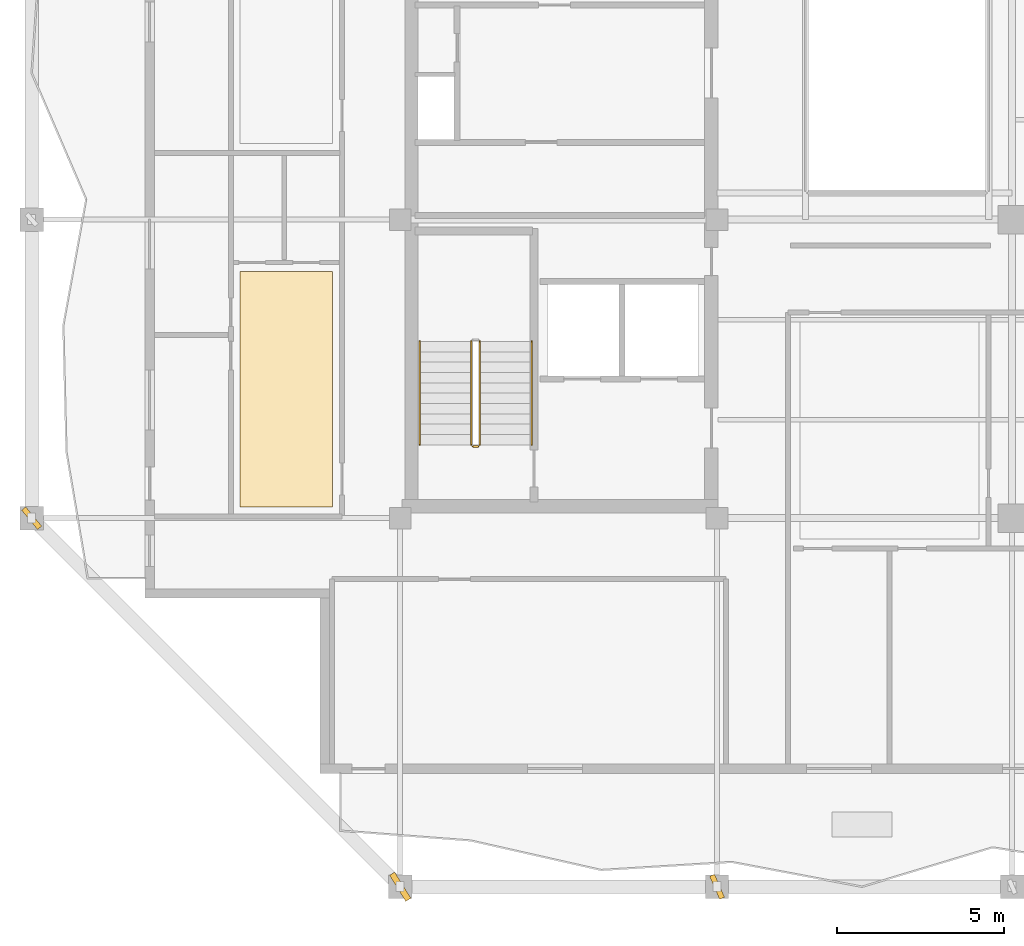
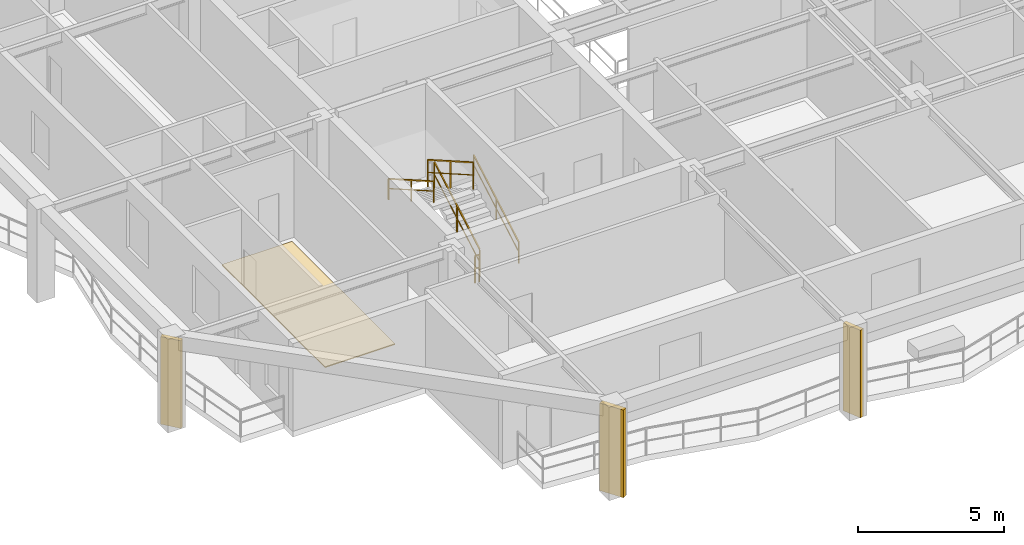
# One storey, part 7 of 12: 5 railings, 3 shading devices, 1 covering.
"""IFC4 building model written with IfcOpenShell, lengths in metres."""

from ifc_helpers import new_model, si_unit, direction, frame, origin, origin_2d, place, context, subcontext, project, spatial, polyline, rectangle, outline, extrude, material, layer, layer_set, type_object, element, save


model = new_model("IFC4")

# Units and contexts
model_context = context("Model", 3, precision=1e-05, world=origin(), true_north=direction((0.0, 1.0)))
body_context = subcontext(model_context, "Body", "Model", "MODEL_VIEW")
ifc_project = project(units=[si_unit("LENGTHUNIT", "METRE"), si_unit("AREAUNIT", "SQUARE_METRE"), si_unit("VOLUMEUNIT", "CUBIC_METRE"), si_unit("PLANEANGLEUNIT", "RADIAN"), si_unit("MASSUNIT", "GRAM", prefix="KILO")], contexts=[model_context])

# Site, building, storey
site_placement = place(None, origin())
site = spatial("IfcSite", under=ifc_project, at=site_placement, CompositionType="ELEMENT")
building_placement = place(site_placement, origin())
building = spatial("IfcBuilding", under=site, at=building_placement, Name="Kundavana Baori Tower", CompositionType="ELEMENT")
storey_placement = place(building_placement, frame((0.0, 0.0, 245.300048828125)))
storey = spatial("IfcBuildingStorey", under=building, at=storey_placement, Name="L60", CompositionType="ELEMENT", Elevation=245.300048828125)

# Covering
ifc_material_1 = material(Name="Honed Kota Stone and Terrazzo Flooring", Category="masonry")
ifc_layer = layer(ifc_material_1, 0.0400390625, Name="COV-FLR-TERR-40")
ifc_layer_set = layer_set([ifc_layer], Name="Honed Kota Stone and Terrazzo Flooring")
covering_type = type_object("IfcCoveringType", Name="COV-FLR-TERR-40", PredefinedType="FLOORING", material=ifc_layer_set)
covering_placement = place(storey_placement, origin())
element("IfcCovering", 1, at=covering_placement, inside=storey, type_object=covering_type, Name="L60 Room Finished Stone Flooring 1", PredefinedType="FLOORING", context=body_context, shape_type="SweptSolid", body=[
    extrude(outline(polyline([(10.64990234375, 15.580078125), (13.419921875, 15.580078125), (13.419921875, 22.639892578125), (10.64990234375, 22.639892578125), (10.64990234375, 15.580078125)])), origin(), (0.0, 0.0, 1.0), 0.0400390625),
])

# Railings
ifc_material_2 = material(Name="Architectural Patinated Bronze Metalwork")
railing_type_1 = type_object("IfcRailingType", Name="RL-GRD-1150", PredefinedType="GUARDRAIL", material=ifc_material_2)
railing_1_placement = place(storey_placement, frame((17.840087890625, 17.449951171875, 0.17724609375)))
element("IfcRailing", 2, at=railing_1_placement, inside=storey, type_object=railing_type_1, Name="L60 ST1 stair guard 1", PredefinedType="GUARDRAIL", context=body_context, shape_type="SweptSolid", body=[
    extrude(rectangle(XDim=0.048095703125, YDim=0.048095703125, at=origin_2d()), frame((0.0, 0.0, 1.1259765625), z_axis=(0.0, 0.868095856688, 0.496396599103), x_axis=(-1.0, 0.0, 0.0)), (0.0, 0.0, 1.0), 3.571044921875),
    extrude(rectangle(XDim=0.03125, YDim=0.03125, at=origin_2d()), frame((0.0, 0.0, 0.597900390625), z_axis=(0.0, 0.868095856688, 0.496396599103), x_axis=(-1.0, 0.0, 0.0)), (0.0, 0.0, 1.0), 3.571044921875),
    extrude(rectangle(XDim=0.0419921875, YDim=0.0419921875, at=origin_2d()), origin(), (0.0, 0.0, 1.0), 1.101806640625),
    extrude(rectangle(XDim=0.0419921875, YDim=0.0419921875, at=origin_2d()), frame((0.0, 1.550048828125, 0.88623046875)), (0.0, 0.0, 1.0), 1.101806640625),
    extrude(rectangle(XDim=0.0419921875, YDim=0.0419921875, at=origin_2d()), frame((0.0, 3.10009765625, 1.772705078125)), (0.0, 0.0, 1.0), 1.101806640625),
])
railing_2_placement = place(storey_placement, frame((17.580078125, 20.550048828125, 2.127197265625)))
element("IfcRailing", 3, at=railing_2_placement, inside=storey, type_object=railing_type_1, Name="L60 ST1 stair guard 3", PredefinedType="GUARDRAIL", context=body_context, shape_type="SweptSolid", body=[
    extrude(rectangle(XDim=0.048095703125, YDim=0.048095703125, at=origin_2d()), frame((0.0, 0.0, 1.1259765625), z_axis=(0.0, -0.868095856688, 0.496396599103), x_axis=(1.0, 0.0, 0.0)), (0.0, 0.0, 1.0), 3.571044921875),
    extrude(rectangle(XDim=0.03125, YDim=0.03125, at=origin_2d()), frame((0.0, 0.0, 0.597900390625), z_axis=(0.0, -0.868095856688, 0.496396599103), x_axis=(1.0, 0.0, 0.0)), (0.0, 0.0, 1.0), 3.571044921875),
    extrude(rectangle(XDim=0.0419921875, YDim=0.0419921875, at=origin_2d()), origin(), (0.0, 0.0, 1.0), 1.101806640625),
    extrude(rectangle(XDim=0.0419921875, YDim=0.0419921875, at=origin_2d()), frame((0.0, -1.550048828125, 0.88623046875)), (0.0, 0.0, 1.0), 1.101806640625),
    extrude(rectangle(XDim=0.0419921875, YDim=0.0419921875, at=origin_2d()), frame((0.0, -3.10009765625, 1.772705078125)), (0.0, 0.0, 1.0), 1.101806640625),
])
railing_3_placement = place(storey_placement, frame((17.7900390625, 17.39990234375, 0.0)))
element("IfcRailing", 4, at=railing_3_placement, inside=storey, type_object=railing_type_1, Name="L60 ST1 stair guard 4", PredefinedType="GUARDRAIL", context=body_context, shape_type="SweptSolid", body=[
    extrude(rectangle(XDim=0.048095703125, YDim=0.048095703125, at=origin_2d()), frame((0.0, 0.0, 1.1259765625), z_axis=(-1.0, 0.0, 0.0), x_axis=(0.0, -1.0, 0.0)), (0.0, 0.0, 1.0), 0.16015625),
    extrude(rectangle(XDim=0.03125, YDim=0.03125, at=origin_2d()), frame((0.0, 0.0, 0.597900390625), z_axis=(-1.0, 0.0, 0.0), x_axis=(0.0, -1.0, 0.0)), (0.0, 0.0, 1.0), 0.16015625),
    extrude(rectangle(XDim=0.0419921875, YDim=0.0419921875, at=origin_2d()), origin(), (0.0, 0.0, 1.0), 1.101806640625),
    extrude(rectangle(XDim=0.0419921875, YDim=0.0419921875, at=origin_2d()), frame((-0.16015625, 0.0, 0.0)), (0.0, 0.0, 1.0), 1.101806640625),
])
ifc_material_3 = material(Name="Architectural Patinated Bronze Metalwork")
railing_type_2 = type_object("IfcRailingType", Name="RL-HND-920", PredefinedType="HANDRAIL", material=ifc_material_3)
railing_4_placement = place(storey_placement, frame((19.389892578125, 17.449951171875, 0.17724609375)))
element("IfcRailing", 5, at=railing_4_placement, inside=storey, type_object=railing_type_2, Name="L60 ST1 stair handrail 1", PredefinedType="HANDRAIL", context=body_context, shape_type="SweptSolid", body=[
    extrude(rectangle(XDim=0.048095703125, YDim=0.048095703125, at=origin_2d()), frame((0.0, 0.0, 0.8759765625), z_axis=(0.0, 0.868095856688, 0.496396599103), x_axis=(-1.0, 0.0, 0.0)), (0.0, 0.0, 1.0), 3.571044921875),
    extrude(rectangle(XDim=0.03125, YDim=0.03125, at=origin_2d()), frame((0.0, 0.0, 0.468017578125), z_axis=(0.0, 0.868095856688, 0.496396599103), x_axis=(-1.0, 0.0, 0.0)), (0.0, 0.0, 1.0), 3.571044921875),
    extrude(rectangle(XDim=0.0419921875, YDim=0.0419921875, at=origin_2d()), origin(), (0.0, 0.0, 1.0), 0.851806640625),
    extrude(rectangle(XDim=0.0419921875, YDim=0.0419921875, at=origin_2d()), frame((0.0, 1.550048828125, 0.88623046875)), (0.0, 0.0, 1.0), 0.851806640625),
    extrude(rectangle(XDim=0.0419921875, YDim=0.0419921875, at=origin_2d()), frame((0.0, 3.10009765625, 1.772705078125)), (0.0, 0.0, 1.0), 0.851806640625),
])
railing_5_placement = place(storey_placement, frame((16.030029296875, 20.550048828125, 2.127197265625)))
element("IfcRailing", 6, at=railing_5_placement, inside=storey, type_object=railing_type_2, Name="L60 ST1 stair handrail 2", PredefinedType="HANDRAIL", context=body_context, shape_type="SweptSolid", body=[
    extrude(rectangle(XDim=0.048095703125, YDim=0.048095703125, at=origin_2d()), frame((0.0, 0.0, 0.8759765625), z_axis=(0.0, -0.868095856688, 0.496396599103), x_axis=(1.0, 0.0, 0.0)), (0.0, 0.0, 1.0), 3.571044921875),
    extrude(rectangle(XDim=0.03125, YDim=0.03125, at=origin_2d()), frame((0.0, 0.0, 0.468017578125), z_axis=(0.0, -0.868095856688, 0.496396599103), x_axis=(1.0, 0.0, 0.0)), (0.0, 0.0, 1.0), 3.571044921875),
    extrude(rectangle(XDim=0.0419921875, YDim=0.0419921875, at=origin_2d()), origin(), (0.0, 0.0, 1.0), 0.851806640625),
    extrude(rectangle(XDim=0.0419921875, YDim=0.0419921875, at=origin_2d()), frame((0.0, -1.550048828125, 0.88623046875)), (0.0, 0.0, 1.0), 0.851806640625),
    extrude(rectangle(XDim=0.0419921875, YDim=0.0419921875, at=origin_2d()), frame((0.0, -3.10009765625, 1.772705078125)), (0.0, 0.0, 1.0), 0.851806640625),
])

# Shading devices
ifc_material_4 = material(Name="Red-Buff Dholpur Sandstone Cladding on Concrete C40/50", Category="masonry")
shading_device_type_1 = type_object("IfcShadingDeviceType", Name="SHD-FIN-750", PredefinedType="JALOUSIE", material=ifc_material_4)
for number, where, z_axis, x_axis, name in (
    (7, (24.949951171875, 4.199951171875, 0.0), (0.0, 0.0, 1.0), (0.91678147156, 0.39938920041, 0.0), "L60 Sweeping Dholpur Sandstone Facade Fin 2"),
    (8, (4.39990234375, 15.25, 0.0), (0.0, 0.0, 1.0), (0.77017938275, 0.637827342144, 0.0), "L60 Sweeping Dholpur Sandstone Facade Fin 5"),
):
    element("IfcShadingDevice", number, at=place(storey_placement, frame(where, z_axis=z_axis, x_axis=x_axis)), inside=storey, type_object=shading_device_type_1, Name=name, PredefinedType="JALOUSIE", context=body_context, shape_type="SweptSolid", body=[
        extrude(rectangle(XDim=0.159912109375, YDim=0.75, at=origin_2d()), origin(), (0.0, 0.0, 1.0), 3.659912109375),
    ])
ifc_material_5 = material(Name="Red-Buff Dholpur Sandstone Cladding on Concrete C40/50", Category="masonry")
shading_device_type_2 = type_object("IfcShadingDeviceType", Name="SHD-FIN-920", PredefinedType="JALOUSIE", material=ifc_material_5)
shading_device_placement = place(storey_placement, frame((15.449951171875, 4.199951171875, 0.0), z_axis=(0.0, 0.0, 1.0), x_axis=(0.848879444811, 0.528586500185, 0.0)))
element("IfcShadingDevice", 9, at=shading_device_placement, inside=storey, type_object=shading_device_type_2, Name="L60 Sweeping Dholpur Sandstone Facade Fin 1", PredefinedType="JALOUSIE", context=body_context, shape_type="SweptSolid", body=[
    extrude(rectangle(XDim=0.179931640625, YDim=0.919921875, at=origin_2d()), origin(), (0.0, 0.0, 1.0), 3.659912109375),
])

save(model, "model.ifc")
